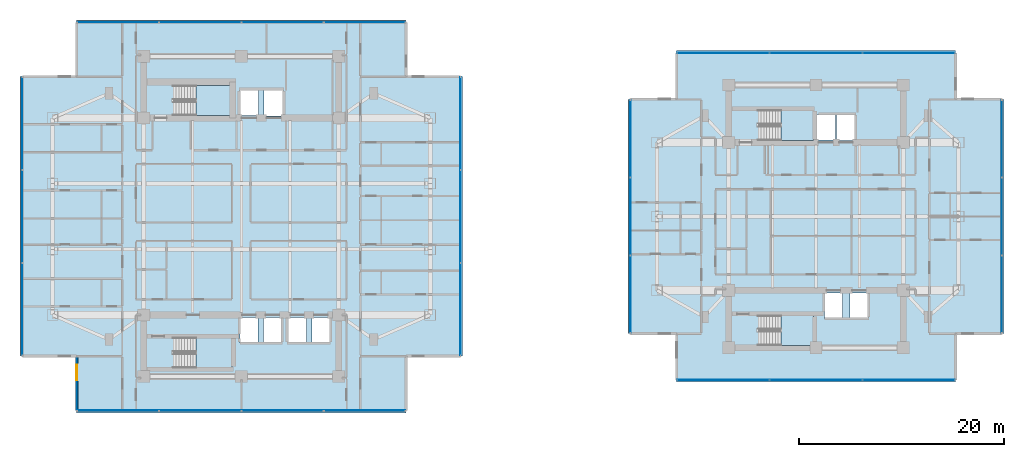
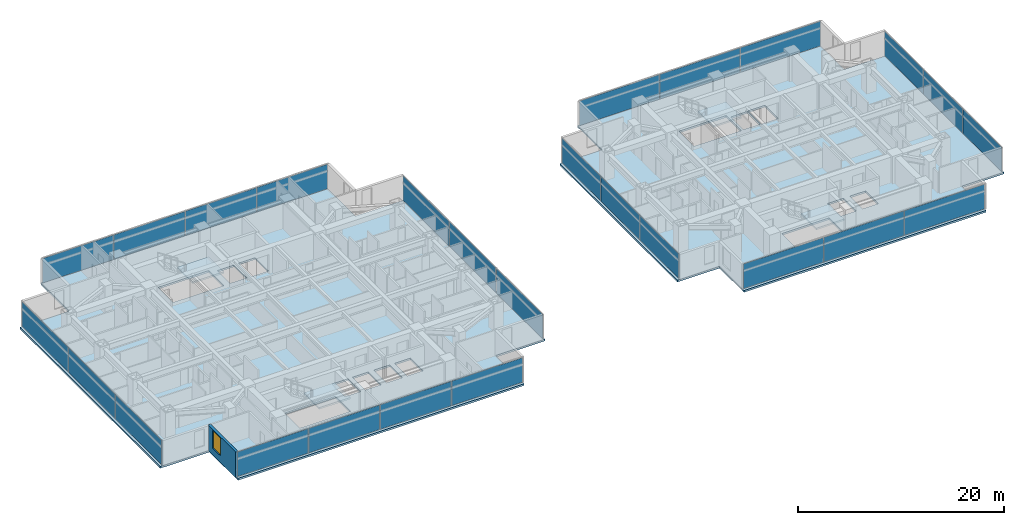
# One storey, part 11 of 24: 26 plates, 6 slabs, 1 wall, 1 window, 1 opening, 12 elements without a shape of their own.
"""IFC4 building model written with IfcOpenShell, lengths in metres."""

from ifc_helpers import new_model, si_unit, direction, frame, frame_2d, origin, origin_2d, place, context, subcontext, project, spatial, polyline, rectangle, outline, extrude, material, layer, layer_set, type_object, element, fill, aggregate, save


model = new_model("IFC4")

# Units and contexts
model_context = context("Model", 3, precision=1e-05, world=origin(), true_north=direction((0.0, 1.0)))
body_context = subcontext(model_context, "Body", "Model", "MODEL_VIEW")
ifc_project = project(units=[si_unit("LENGTHUNIT", "METRE"), si_unit("AREAUNIT", "SQUARE_METRE"), si_unit("VOLUMEUNIT", "CUBIC_METRE"), si_unit("PLANEANGLEUNIT", "RADIAN"), si_unit("MASSUNIT", "GRAM", prefix="KILO")], contexts=[model_context])

# Site, building, storey
site_placement = place(None, origin())
site = spatial("IfcSite", under=ifc_project, at=site_placement, CompositionType="ELEMENT")
building_placement = place(site_placement, origin())
building = spatial("IfcBuilding", under=site, at=building_placement, Name="Mirazonda Arch Towers", CompositionType="ELEMENT")
storey_placement = place(building_placement, frame((0.0, 0.0, 101.60009765625)))
storey = spatial("IfcBuildingStorey", under=building, at=storey_placement, Name="L28", CompositionType="ELEMENT", Elevation=101.60009765625)

# Curtain wall, plates
ifc_material_1 = material(Name="Anodised Aluminium and Low-E Glass", Category="aluminium")
curtain_wall_type = type_object("IfcCurtainWallType", Name="CW-HTL-UNIT", PredefinedType="NOTDEFINED", material=ifc_material_1)
curtain_wall_1_placement = place(storey_placement, origin())
curtain_wall_1 = element("IfcCurtainWall", 1, at=curtain_wall_1_placement, inside=storey, type_object=curtain_wall_type, Name="L28 T1 S Facade CW-L28-T1-S", PredefinedType="NOTDEFINED")
ifc_material_2 = material(Name="Insulated Low-E Solar Glass", Category="glass")
ifc_layer_1 = layer(ifc_material_2, 0.035888671875, Name="PAN-CW-HTL-UNIT")
ifc_layer_set_1 = layer_set([ifc_layer_1], Name="Insulated Low-E Solar Glass")
plate_type = type_object("IfcPlateType", Name="PAN-CW-HTL-UNIT", PredefinedType="CURTAIN_PANEL", material=ifc_layer_set_1)
plate_1_placement = place(storey_placement, frame((32.514892578125, 9.077880859375, 0.07470703125), z_axis=(0.0, 0.0, 1.0), x_axis=(-1.0, 0.0, 0.0)))
plate_1 = element("IfcPlate", 2, at=plate_1_placement, type_object=plate_type, Name="CW-112 panel 1.1", PredefinedType="CURTAIN_PANEL", context=body_context, shape_type="SweptSolid", body=[
    extrude(rectangle(XDim=7.909912109375, YDim=0.035888671875, at=origin_2d()), origin(), (0.0, 0.0, 1.0), 2.909912109375),
])
plate_2_placement = place(storey_placement, frame((24.51123046875, 9.077880859375, 0.07470703125), z_axis=(0.0, 0.0, 1.0), x_axis=(-1.0, 0.0, 0.0)))
plate_2 = element("IfcPlate", 3, at=plate_2_placement, type_object=plate_type, Name="CW-112 panel 2.1", PredefinedType="CURTAIN_PANEL", context=body_context, shape_type="SweptSolid", body=[
    extrude(rectangle(XDim=7.947509765625, YDim=0.035888671875, at=origin_2d()), origin(), (0.0, 0.0, 1.0), 2.909912109375),
])
plate_3_placement = place(storey_placement, frame((16.48876953125, 9.077880859375, 0.07470703125), z_axis=(0.0, 0.0, 1.0), x_axis=(-1.0, 0.0, 0.0)))
plate_3 = element("IfcPlate", 4, at=plate_3_placement, type_object=plate_type, Name="CW-112 panel 3.1", PredefinedType="CURTAIN_PANEL", context=body_context, shape_type="SweptSolid", body=[
    extrude(rectangle(XDim=7.947509765625, YDim=0.035888671875, at=origin_2d()), origin(), (0.0, 0.0, 1.0), 2.909912109375),
])
plate_4_placement = place(storey_placement, frame((8.485107421875, 9.077880859375, 0.07470703125), z_axis=(0.0, 0.0, 1.0), x_axis=(-1.0, 0.0, 0.0)))
plate_4 = element("IfcPlate", 5, at=plate_4_placement, type_object=plate_type, Name="CW-112 panel 4.1", PredefinedType="CURTAIN_PANEL", context=body_context, shape_type="SweptSolid", body=[
    extrude(rectangle(XDim=7.909912109375, YDim=0.035888671875, at=origin_2d()), origin(), (0.0, 0.0, 1.0), 2.909912109375),
])
aggregate(curtain_wall_1, [plate_1, plate_2, plate_3, plate_4])

curtain_wall_2_placement = place(storey_placement, origin())
curtain_wall_2 = element("IfcCurtainWall", 6, at=curtain_wall_2_placement, inside=storey, type_object=curtain_wall_type, Name="L28 T1 E Facade CW-L28-T1-E", PredefinedType="NOTDEFINED")
plate_5_placement = place(storey_placement, frame((41.85009765625, 18.940673828125, 0.07470703125), z_axis=(0.0, 0.0, 1.0), x_axis=(0.0, 1.0, 0.0)))
plate_5 = element("IfcPlate", 7, at=plate_5_placement, type_object=plate_type, Name="CW-112 panel 1.1", PredefinedType="CURTAIN_PANEL", context=body_context, shape_type="SweptSolid", body=[
    extrude(rectangle(XDim=8.965576171875, YDim=0.035888671875, at=origin_2d()), origin(), (0.0, 0.0, 1.0), 2.909912109375),
])
plate_6_placement = place(storey_placement, frame((41.85009765625, 28.0, 0.07470703125), z_axis=(0.0, 0.0, 1.0), x_axis=(0.0, 1.0, 0.0)))
plate_6 = element("IfcPlate", 8, at=plate_6_placement, type_object=plate_type, Name="CW-112 panel 2.1", PredefinedType="CURTAIN_PANEL", context=body_context, shape_type="SweptSolid", body=[
    extrude(rectangle(XDim=9.0029296875, YDim=0.035888671875, at=origin_2d()), origin(), (0.0, 0.0, 1.0), 2.909912109375),
])
plate_7_placement = place(storey_placement, frame((41.85009765625, 37.059326171875, 0.07470703125), z_axis=(0.0, 0.0, 1.0), x_axis=(0.0, 1.0, 0.0)))
plate_7 = element("IfcPlate", 9, at=plate_7_placement, type_object=plate_type, Name="CW-112 panel 3.1", PredefinedType="CURTAIN_PANEL", context=body_context, shape_type="SweptSolid", body=[
    extrude(rectangle(XDim=8.965576171875, YDim=0.035888671875, at=origin_2d()), origin(), (0.0, 0.0, 1.0), 2.909912109375),
])
aggregate(curtain_wall_2, [plate_5, plate_6, plate_7])

curtain_wall_3_placement = place(storey_placement, origin())
curtain_wall_3 = element("IfcCurtainWall", 10, at=curtain_wall_3_placement, inside=storey, type_object=curtain_wall_type, Name="L28 T1 N Facade CW-L28-T1-N", PredefinedType="NOTDEFINED")
plate_8_placement = place(storey_placement, frame((8.485107421875, 46.922119140625, 0.07470703125), z_axis=(0.0, 0.0, 1.0), x_axis=(1.0, 0.0, 0.0)))
plate_8 = element("IfcPlate", 11, at=plate_8_placement, type_object=plate_type, Name="CW-112 panel 1.1", PredefinedType="CURTAIN_PANEL", context=body_context, shape_type="SweptSolid", body=[
    extrude(rectangle(XDim=7.909912109375, YDim=0.035888671875, at=origin_2d()), origin(), (0.0, 0.0, 1.0), 2.909912109375),
])
plate_9_placement = place(storey_placement, frame((16.48876953125, 46.922119140625, 0.07470703125), z_axis=(0.0, 0.0, 1.0), x_axis=(1.0, 0.0, 0.0)))
plate_9 = element("IfcPlate", 12, at=plate_9_placement, type_object=plate_type, Name="CW-112 panel 2.1", PredefinedType="CURTAIN_PANEL", context=body_context, shape_type="SweptSolid", body=[
    extrude(rectangle(XDim=7.947509765625, YDim=0.035888671875, at=origin_2d()), origin(), (0.0, 0.0, 1.0), 2.909912109375),
])
plate_10_placement = place(storey_placement, frame((24.51123046875, 46.922119140625, 0.07470703125), z_axis=(0.0, 0.0, 1.0), x_axis=(1.0, 0.0, 0.0)))
plate_10 = element("IfcPlate", 13, at=plate_10_placement, type_object=plate_type, Name="CW-112 panel 3.1", PredefinedType="CURTAIN_PANEL", context=body_context, shape_type="SweptSolid", body=[
    extrude(rectangle(XDim=7.947509765625, YDim=0.035888671875, at=origin_2d()), origin(), (0.0, 0.0, 1.0), 2.909912109375),
])
plate_11_placement = place(storey_placement, frame((32.514892578125, 46.922119140625, 0.07470703125), z_axis=(0.0, 0.0, 1.0), x_axis=(1.0, 0.0, 0.0)))
plate_11 = element("IfcPlate", 14, at=plate_11_placement, type_object=plate_type, Name="CW-112 panel 4.1", PredefinedType="CURTAIN_PANEL", context=body_context, shape_type="SweptSolid", body=[
    extrude(rectangle(XDim=7.909912109375, YDim=0.035888671875, at=origin_2d()), origin(), (0.0, 0.0, 1.0), 2.909912109375),
])
aggregate(curtain_wall_3, [plate_8, plate_9, plate_10, plate_11])

curtain_wall_4_placement = place(storey_placement, origin())
curtain_wall_4 = element("IfcCurtainWall", 15, at=curtain_wall_4_placement, inside=storey, type_object=curtain_wall_type, Name="L28 T1 W Facade CW-L28-T1-W", PredefinedType="NOTDEFINED")
plate_12_placement = place(storey_placement, frame((-0.85009765625, 37.059326171875, 0.07470703125), z_axis=(0.0, 0.0, 1.0), x_axis=(0.0, -1.0, 0.0)))
plate_12 = element("IfcPlate", 16, at=plate_12_placement, type_object=plate_type, Name="CW-112 panel 1.1", PredefinedType="CURTAIN_PANEL", context=body_context, shape_type="SweptSolid", body=[
    extrude(rectangle(XDim=8.965576171875, YDim=0.035888671875, at=origin_2d()), origin(), (0.0, 0.0, 1.0), 2.909912109375),
])
plate_13_placement = place(storey_placement, frame((-0.85009765625, 28.0, 0.07470703125), z_axis=(0.0, 0.0, 1.0), x_axis=(0.0, -1.0, 0.0)))
plate_13 = element("IfcPlate", 17, at=plate_13_placement, type_object=plate_type, Name="CW-112 panel 2.1", PredefinedType="CURTAIN_PANEL", context=body_context, shape_type="SweptSolid", body=[
    extrude(rectangle(XDim=9.0029296875, YDim=0.035888671875, at=origin_2d()), origin(), (0.0, 0.0, 1.0), 2.909912109375),
])
plate_14_placement = place(storey_placement, frame((-0.85009765625, 18.940673828125, 0.07470703125), z_axis=(0.0, 0.0, 1.0), x_axis=(0.0, -1.0, 0.0)))
plate_14 = element("IfcPlate", 18, at=plate_14_placement, type_object=plate_type, Name="CW-112 panel 3.1", PredefinedType="CURTAIN_PANEL", context=body_context, shape_type="SweptSolid", body=[
    extrude(rectangle(XDim=8.965576171875, YDim=0.035888671875, at=origin_2d()), origin(), (0.0, 0.0, 1.0), 2.909912109375),
])
aggregate(curtain_wall_4, [plate_12, plate_13, plate_14])

curtain_wall_5_placement = place(storey_placement, origin())
curtain_wall_5 = element("IfcCurtainWall", 19, at=curtain_wall_5_placement, inside=storey, type_object=curtain_wall_type, Name="L28 T2 S Facade CW-L28-T2-S", PredefinedType="NOTDEFINED")
plate_15_placement = place(storey_placement, frame((85.533447265625, 12.0693359375, 0.07470703125), z_axis=(0.0, 0.0, 1.0), x_axis=(-1.0, 0.0, 0.0)))
plate_15 = element("IfcPlate", 20, at=plate_15_placement, type_object=plate_type, Name="CW-112 panel 1.1", PredefinedType="CURTAIN_PANEL", context=body_context, shape_type="SweptSolid", body=[
    extrude(rectangle(XDim=8.939697265625, YDim=0.035888671875, at=origin_2d()), origin(), (0.0, 0.0, 1.0), 2.909912109375),
])
plate_16_placement = place(storey_placement, frame((76.5, 12.0693359375, 0.07470703125), z_axis=(0.0, 0.0, 1.0), x_axis=(-1.0, 0.0, 0.0)))
plate_16 = element("IfcPlate", 21, at=plate_16_placement, type_object=plate_type, Name="CW-112 panel 2.1", PredefinedType="CURTAIN_PANEL", context=body_context, shape_type="SweptSolid", body=[
    extrude(rectangle(XDim=8.97705078125, YDim=0.035888671875, at=origin_2d()), origin(), (0.0, 0.0, 1.0), 2.909912109375),
])
plate_17_placement = place(storey_placement, frame((67.466552734375, 12.0693359375, 0.07470703125), z_axis=(0.0, 0.0, 1.0), x_axis=(-1.0, 0.0, 0.0)))
plate_17 = element("IfcPlate", 22, at=plate_17_placement, type_object=plate_type, Name="CW-112 panel 3.1", PredefinedType="CURTAIN_PANEL", context=body_context, shape_type="SweptSolid", body=[
    extrude(rectangle(XDim=8.939697265625, YDim=0.035888671875, at=origin_2d()), origin(), (0.0, 0.0, 1.0), 2.909912109375),
])
aggregate(curtain_wall_5, [plate_15, plate_16, plate_17])

curtain_wall_6_placement = place(storey_placement, origin())
curtain_wall_6 = element("IfcCurtainWall", 23, at=curtain_wall_6_placement, inside=storey, type_object=curtain_wall_type, Name="L28 T2 E Facade CW-L28-T2-E", PredefinedType="NOTDEFINED")
plate_18_placement = place(storey_placement, frame((94.594482421875, 20.4091796875, 0.07470703125), z_axis=(0.0, 0.0, 1.0), x_axis=(0.0, 1.0, 0.0)))
plate_18 = element("IfcPlate", 24, at=plate_18_placement, type_object=plate_type, Name="CW-112 panel 1.1", PredefinedType="CURTAIN_PANEL", context=body_context, shape_type="SweptSolid", body=[
    extrude(rectangle(XDim=7.4970703125, YDim=0.035888671875, at=origin_2d()), origin(), (0.0, 0.0, 1.0), 2.909912109375),
])
plate_19_placement = place(storey_placement, frame((94.594482421875, 28.0, 0.07470703125), z_axis=(0.0, 0.0, 1.0), x_axis=(0.0, 1.0, 0.0)))
plate_19 = element("IfcPlate", 25, at=plate_19_placement, type_object=plate_type, Name="CW-112 panel 2.1", PredefinedType="CURTAIN_PANEL", context=body_context, shape_type="SweptSolid", body=[
    extrude(rectangle(XDim=7.53466796875, YDim=0.035888671875, at=origin_2d()), origin(), (0.0, 0.0, 1.0), 2.909912109375),
])
plate_20_placement = place(storey_placement, frame((94.594482421875, 35.5908203125, 0.07470703125), z_axis=(0.0, 0.0, 1.0), x_axis=(0.0, 1.0, 0.0)))
plate_20 = element("IfcPlate", 26, at=plate_20_placement, type_object=plate_type, Name="CW-112 panel 3.1", PredefinedType="CURTAIN_PANEL", context=body_context, shape_type="SweptSolid", body=[
    extrude(rectangle(XDim=7.4970703125, YDim=0.035888671875, at=origin_2d()), origin(), (0.0, 0.0, 1.0), 2.909912109375),
])
aggregate(curtain_wall_6, [plate_18, plate_19, plate_20])

curtain_wall_7_placement = place(storey_placement, origin())
curtain_wall_7 = element("IfcCurtainWall", 27, at=curtain_wall_7_placement, inside=storey, type_object=curtain_wall_type, Name="L28 T2 N Facade CW-L28-T2-N", PredefinedType="NOTDEFINED")
plate_21_placement = place(storey_placement, frame((67.466552734375, 43.9306640625, 0.07470703125), z_axis=(0.0, 0.0, 1.0), x_axis=(1.0, 0.0, 0.0)))
plate_21 = element("IfcPlate", 28, at=plate_21_placement, type_object=plate_type, Name="CW-112 panel 1.1", PredefinedType="CURTAIN_PANEL", context=body_context, shape_type="SweptSolid", body=[
    extrude(rectangle(XDim=8.939697265625, YDim=0.035888671875, at=origin_2d()), origin(), (0.0, 0.0, 1.0), 2.909912109375),
])
plate_22_placement = place(storey_placement, frame((76.5, 43.9306640625, 0.07470703125), z_axis=(0.0, 0.0, 1.0), x_axis=(1.0, 0.0, 0.0)))
plate_22 = element("IfcPlate", 29, at=plate_22_placement, type_object=plate_type, Name="CW-112 panel 2.1", PredefinedType="CURTAIN_PANEL", context=body_context, shape_type="SweptSolid", body=[
    extrude(rectangle(XDim=8.97705078125, YDim=0.035888671875, at=origin_2d()), origin(), (0.0, 0.0, 1.0), 2.909912109375),
])
plate_23_placement = place(storey_placement, frame((85.533447265625, 43.9306640625, 0.07470703125), z_axis=(0.0, 0.0, 1.0), x_axis=(1.0, 0.0, 0.0)))
plate_23 = element("IfcPlate", 30, at=plate_23_placement, type_object=plate_type, Name="CW-112 panel 3.1", PredefinedType="CURTAIN_PANEL", context=body_context, shape_type="SweptSolid", body=[
    extrude(rectangle(XDim=8.939697265625, YDim=0.035888671875, at=origin_2d()), origin(), (0.0, 0.0, 1.0), 2.909912109375),
])
aggregate(curtain_wall_7, [plate_21, plate_22, plate_23])

curtain_wall_8_placement = place(storey_placement, origin())
curtain_wall_8 = element("IfcCurtainWall", 31, at=curtain_wall_8_placement, inside=storey, type_object=curtain_wall_type, Name="L28 T2 W Facade CW-L28-T2-W", PredefinedType="NOTDEFINED")
plate_24_placement = place(storey_placement, frame((58.405517578125, 35.5908203125, 0.07470703125), z_axis=(0.0, 0.0, 1.0), x_axis=(0.0, -1.0, 0.0)))
plate_24 = element("IfcPlate", 32, at=plate_24_placement, type_object=plate_type, Name="CW-112 panel 1.1", PredefinedType="CURTAIN_PANEL", context=body_context, shape_type="SweptSolid", body=[
    extrude(rectangle(XDim=7.4970703125, YDim=0.035888671875, at=origin_2d()), origin(), (0.0, 0.0, 1.0), 2.909912109375),
])
plate_25_placement = place(storey_placement, frame((58.405517578125, 28.0, 0.07470703125), z_axis=(0.0, 0.0, 1.0), x_axis=(0.0, -1.0, 0.0)))
plate_25 = element("IfcPlate", 33, at=plate_25_placement, type_object=plate_type, Name="CW-112 panel 2.1", PredefinedType="CURTAIN_PANEL", context=body_context, shape_type="SweptSolid", body=[
    extrude(rectangle(XDim=7.53466796875, YDim=0.035888671875, at=origin_2d()), origin(), (0.0, 0.0, 1.0), 2.909912109375),
])
plate_26_placement = place(storey_placement, frame((58.405517578125, 20.4091796875, 0.07470703125), z_axis=(0.0, 0.0, 1.0), x_axis=(0.0, -1.0, 0.0)))
plate_26 = element("IfcPlate", 34, at=plate_26_placement, type_object=plate_type, Name="CW-112 panel 3.1", PredefinedType="CURTAIN_PANEL", context=body_context, shape_type="SweptSolid", body=[
    extrude(rectangle(XDim=7.4970703125, YDim=0.035888671875, at=origin_2d()), origin(), (0.0, 0.0, 1.0), 2.909912109375),
])
aggregate(curtain_wall_8, [plate_24, plate_25, plate_26])

# Stair, slab
ifc_material_3 = material(Name="Concrete C40/50", Category="concrete")
stair_type = type_object("IfcStairType", Name="STAIR-CORE-1400", PredefinedType="HALF_TURN_STAIR", material=ifc_material_3)
stair_1_placement = place(storey_placement, origin())
stair_1 = element("IfcStair", 35, at=stair_1_placement, inside=storey, type_object=stair_type, Name="L28 Protected Exit Stair ST-T1N", PredefinedType="HALF_TURN_STAIR")
ifc_layer_2 = layer(ifc_material_3, 0.18994140625, Name="SLAB-LANDING-190")
ifc_layer_set_2 = layer_set([ifc_layer_2], Name="Concrete C40/50")
slab_type_1 = type_object("IfcSlabType", Name="SLAB-LANDING-190", PredefinedType="LANDING", material=ifc_layer_set_2)
slab_1_placement = place(storey_placement, frame((0.0, 0.0, 1.449951171875)))
slab_1 = element("IfcSlab", 36, at=slab_1_placement, type_object=slab_type_1, Name="ST-T1N landing 1", PredefinedType="LANDING", context=body_context, shape_type="SweptSolid", body=[
    extrude(outline(polyline([(16.090087890625, 37.820068359375), (19.60009765625, 37.820068359375), (19.60009765625, 40.760009765625), (16.090087890625, 40.760009765625), (16.090087890625, 37.820068359375)])), origin(), (0.0, 0.0, 1.0), 0.199951171875),
])
aggregate(stair_1, [slab_1])

stair_2_placement = place(storey_placement, origin())
stair_2 = element("IfcStair", 37, at=stair_2_placement, inside=storey, type_object=stair_type, Name="L28 Protected Exit Stair ST-T1S", PredefinedType="HALF_TURN_STAIR")
slab_2_placement = place(storey_placement, frame((0.0, 0.0, 1.449951171875)))
slab_2 = element("IfcSlab", 38, at=slab_2_placement, type_object=slab_type_1, Name="ST-T1S landing 1", PredefinedType="LANDING", context=body_context, shape_type="SweptSolid", body=[
    extrude(outline(polyline([(16.090087890625, 13.25), (19.60009765625, 13.25), (19.60009765625, 16.18994140625), (16.090087890625, 16.18994140625), (16.090087890625, 13.25)])), origin(), (0.0, 0.0, 1.0), 0.199951171875),
])
aggregate(stair_2, [slab_2])

stair_3_placement = place(storey_placement, origin())
stair_3 = element("IfcStair", 39, at=stair_3_placement, inside=storey, type_object=stair_type, Name="L28 Protected Exit Stair ST-T2N", PredefinedType="HALF_TURN_STAIR")
slab_3_placement = place(storey_placement, frame((0.0, 0.0, 1.449951171875)))
slab_3 = element("IfcSlab", 40, at=slab_3_placement, type_object=slab_type_1, Name="ST-T2N landing 1", PredefinedType="LANDING", context=body_context, shape_type="SweptSolid", body=[
    extrude(outline(polyline([(73.090087890625, 35.419921875), (76.22998046875, 35.419921875), (76.22998046875, 38.360107421875), (73.090087890625, 38.360107421875), (73.090087890625, 35.419921875)])), origin(), (0.0, 0.0, 1.0), 0.199951171875),
])
aggregate(stair_3, [slab_3])

stair_4_placement = place(storey_placement, origin())
stair_4 = element("IfcStair", 41, at=stair_4_placement, inside=storey, type_object=stair_type, Name="L28 Protected Exit Stair ST-T2S", PredefinedType="HALF_TURN_STAIR")
slab_4_placement = place(storey_placement, frame((0.0, 0.0, 1.449951171875)))
slab_4 = element("IfcSlab", 42, at=slab_4_placement, type_object=slab_type_1, Name="ST-T2S landing 1", PredefinedType="LANDING", context=body_context, shape_type="SweptSolid", body=[
    extrude(outline(polyline([(73.090087890625, 15.419921875), (76.22998046875, 15.419921875), (76.22998046875, 18.360107421875), (73.090087890625, 18.360107421875), (73.090087890625, 15.419921875)])), origin(), (0.0, 0.0, 1.0), 0.199951171875),
])
aggregate(stair_4, [slab_4])

# Slabs
ifc_layer_3 = layer(ifc_material_3, 0.219970703125, Name="SLAB-TWR-220")
ifc_layer_set_3 = layer_set([ifc_layer_3], Name="Concrete C40/50")
slab_type_2 = type_object("IfcSlabType", Name="SLAB-TWR-220", PredefinedType="FLOOR", material=ifc_layer_set_3)
slab_5_placement = place(storey_placement, frame((0.0, 0.0, -0.22021484375)))
element("IfcSlab", 43, at=slab_5_placement, inside=storey, type_object=slab_type_2, Name="L28 Tower 1 Floor Slab", PredefinedType="FLOOR", context=body_context, shape_type="SweptSolid", body=[
    extrude(outline(polyline([(4.455078125, 8.85791015625), (36.544921875, 8.85791015625), (36.544921875, 14.383056640625), (42.070068359375, 14.383056640625), (42.070068359375, 41.616943359375), (36.544921875, 41.616943359375), (36.544921875, 47.14208984375), (4.455078125, 47.14208984375), (4.455078125, 41.616943359375), (-1.070068359375, 41.616943359375), (-1.070068359375, 14.383056640625), (4.455078125, 14.383056640625), (4.455078125, 8.85791015625)]), holes=[polyline([(27.360107421875, 18.139892578125), (29.139892578125, 18.139892578125), (29.139892578125, 15.659912109375), (27.360107421875, 15.659912109375), (27.360107421875, 18.139892578125)]), polyline([(25.06005859375, 18.139892578125), (26.840087890625, 18.139892578125), (26.840087890625, 15.659912109375), (25.06005859375, 15.659912109375), (25.06005859375, 18.139892578125)]), polyline([(22.7099609375, 40.389892578125), (24.590087890625, 40.389892578125), (24.590087890625, 37.81005859375), (22.7099609375, 37.81005859375), (22.7099609375, 40.389892578125)]), polyline([(22.659912109375, 18.139892578125), (24.43994140625, 18.139892578125), (24.43994140625, 15.659912109375), (22.659912109375, 15.659912109375), (22.659912109375, 18.139892578125)]), polyline([(20.31005859375, 40.340087890625), (22.18994140625, 40.340087890625), (22.18994140625, 37.860107421875), (20.31005859375, 37.860107421875), (20.31005859375, 40.340087890625)]), polyline([(20.360107421875, 18.139892578125), (22.139892578125, 18.139892578125), (22.139892578125, 15.659912109375), (20.360107421875, 15.659912109375), (20.360107421875, 18.139892578125)]), polyline([(13.925048828125, 13.25), (13.925048828125, 16.18994140625), (19.60009765625, 16.18994140625), (19.60009765625, 13.25), (13.925048828125, 13.25)]), polyline([(13.925048828125, 37.820068359375), (13.925048828125, 40.760009765625), (19.60009765625, 40.760009765625), (19.60009765625, 37.820068359375), (13.925048828125, 37.820068359375)])]), origin(), (0.0, 0.0, 1.0), 0.22021484375),
])
slab_6_placement = place(storey_placement, frame((0.0, 0.0, -0.22021484375)))
element("IfcSlab", 44, at=slab_6_placement, inside=storey, type_object=slab_type_2, Name="L28 Tower 2 Floor Slab", PredefinedType="FLOOR", context=body_context, shape_type="SweptSolid", body=[
    extrude(outline(polyline([(62.921875, 11.849365234375), (90.078125, 11.849365234375), (90.078125, 16.585693359375), (94.814453125, 16.585693359375), (94.814453125, 39.414306640625), (90.078125, 39.414306640625), (90.078125, 44.150634765625), (62.921875, 44.150634765625), (62.921875, 39.414306640625), (58.185546875, 39.414306640625), (58.185546875, 16.585693359375), (62.921875, 16.585693359375), (62.921875, 11.849365234375)]), holes=[polyline([(79.81005859375, 20.5400390625), (81.590087890625, 20.5400390625), (81.590087890625, 18.06005859375), (79.81005859375, 18.06005859375), (79.81005859375, 20.5400390625)]), polyline([(78.47998046875, 37.989990234375), (80.360107421875, 37.989990234375), (80.360107421875, 35.409912109375), (78.47998046875, 35.409912109375), (78.47998046875, 37.989990234375)]), polyline([(77.31005859375, 20.5400390625), (79.090087890625, 20.5400390625), (79.090087890625, 18.06005859375), (77.31005859375, 18.06005859375), (77.31005859375, 20.5400390625)]), polyline([(76.510009765625, 35.4599609375), (76.510009765625, 37.93994140625), (78.389892578125, 37.93994140625), (78.389892578125, 35.4599609375), (76.510009765625, 35.4599609375)]), polyline([(76.22998046875, 15.419921875), (70.925048828125, 15.419921875), (70.925048828125, 18.360107421875), (76.22998046875, 18.360107421875), (76.22998046875, 15.419921875)]), polyline([(70.925048828125, 35.419921875), (70.925048828125, 38.360107421875), (76.22998046875, 38.360107421875), (76.22998046875, 35.419921875), (70.925048828125, 35.419921875)])]), origin(), (0.0, 0.0, 1.0), 0.22021484375),
])

# Wall, opening, window
ifc_material_4 = material(Name="Precast Concrete C40/50", Category="concrete")
ifc_layer_4 = layer(ifc_material_4, 0.280029296875, Name="WALL-EXT-WALL-280")
ifc_layer_set_4 = layer_set([ifc_layer_4], Name="Precast Concrete C40/50")
wall_type = type_object("IfcWallType", Name="WALL-EXT-WALL-280", PredefinedType="SOLIDWALL", material=ifc_layer_set_4)
wall_placement = place(storey_placement, frame((4.455078125, 14.383056640625, 0.0), z_axis=(0.0, 0.0, 1.0), x_axis=(0.0, -1.0, 0.0)))
wall = element("IfcWall", 45, at=wall_placement, inside=storey, type_object=wall_type, Name="L28 T1 Notched SW Corner Wall WL-L28-T1-CSW", PredefinedType="SOLIDWALL", context=body_context, shape_type="SweptSolid", body=[
    extrude(rectangle(XDim=5.30517578125, YDim=0.280029296875, at=frame_2d((2.652587890625, 0.0))), origin(), (0.0, 0.0, 1.0), 3.059814453125),
])
opening_placement = place(wall_placement, frame((0.85009765625, 0.0, 0.81005859375)))
opening = element("IfcOpeningElement", 46, at=opening_placement, cuts=wall, Name="Opening WN-120", PredefinedType="OPENING", context=body_context, shape_type="SweptSolid", body=[
    extrude(rectangle(XDim=1.5, YDim=2.10009765625, at=frame_2d((0.75, 1.050048828125))), frame((0.0, 0.14990234375, 0.0), z_axis=(0.0, -1.0, 0.0), x_axis=(1.0, 0.0, 0.0)), (0.0, 0.0, 1.0), 0.300048828125),
])
window_type = type_object("IfcWindowType", Name="WIN-HTL-1500x2100", PartitioningType="SINGLE_PANEL", PredefinedType="WINDOW", material=ifc_material_2)
window_placement = place(opening_placement, origin())
window = element("IfcWindow", 47, at=window_placement, inside=storey, type_object=window_type, Name="L28 Punched Facade Window WN-L28-T1-CSW", OverallHeight=2.10009765625, OverallWidth=1.5, PartitioningType="SINGLE_PANEL", PredefinedType="WINDOW", context=body_context, shape_type="SweptSolid", body=[
    extrude(rectangle(XDim=1.5, YDim=2.10009765625, at=frame_2d((0.75, 1.050048828125))), frame((0.0, 0.030029296875, 0.0), z_axis=(0.0, -1.0, 0.0), x_axis=(1.0, 0.0, 0.0)), (0.0, 0.0, 1.0), 0.06005859375),
])
fill(opening, window)

save(model, "model.ifc")
